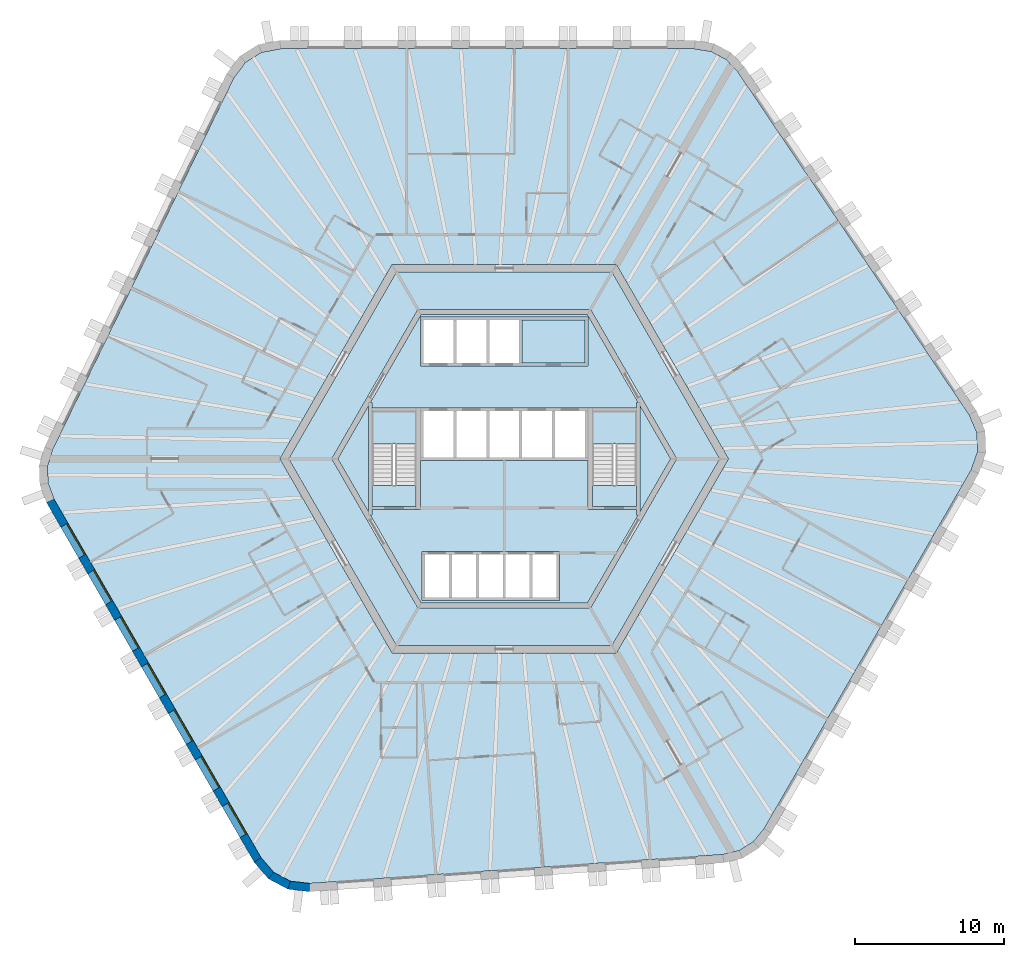
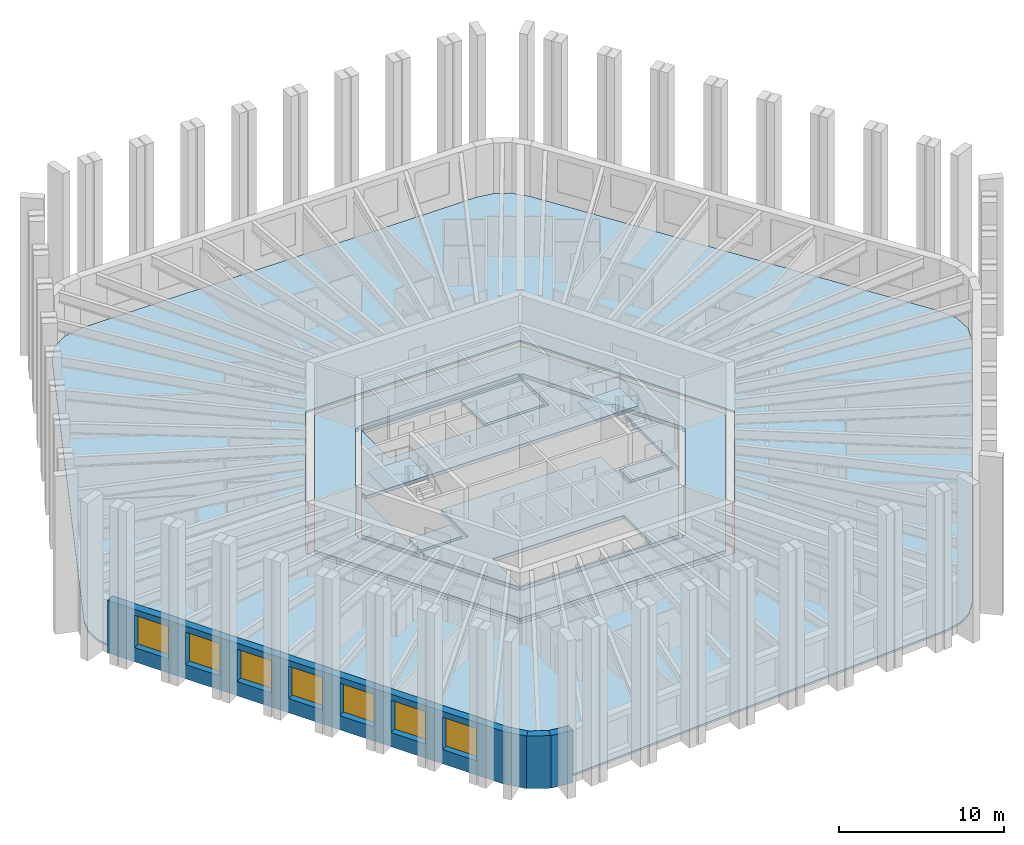
# One storey, part 2 of 11: 11 slabs, 7 windows, 4 walls, 7 openings, 2 elements without a shape of their own.
"""IFC4 building model written with IfcOpenShell, lengths in metres."""

from ifc_helpers import new_model, si_unit, direction, frame, frame_2d, origin, place, context, subcontext, project, spatial, polyline, rectangle, outline, extrude, material, layer, layer_set, type_object, element, fill, aggregate, save


model = new_model("IFC4")

# Units and contexts
model_context = context("Model", 3, precision=1e-05, world=origin(), true_north=direction((0.0, 1.0)))
body_context = subcontext(model_context, "Body", "Model", "MODEL_VIEW")
ifc_project = project(units=[si_unit("LENGTHUNIT", "METRE"), si_unit("AREAUNIT", "SQUARE_METRE"), si_unit("VOLUMEUNIT", "CUBIC_METRE"), si_unit("PLANEANGLEUNIT", "RADIAN"), si_unit("MASSUNIT", "GRAM", prefix="KILO")], contexts=[model_context])

# Site, building, storey
site_placement = place(None, origin())
site = spatial("IfcSite", under=ifc_project, at=site_placement, CompositionType="ELEMENT")
building_placement = place(site_placement, origin())
building = spatial("IfcBuilding", under=site, at=building_placement, Name="Tarnside Tower", CompositionType="ELEMENT")
storey_placement = place(building_placement, frame((0.0, 0.0, 183.89990234375)))
storey = spatial("IfcBuildingStorey", under=building, at=storey_placement, Name="L43", CompositionType="ELEMENT", Elevation=183.89990234375)

# Slabs
ifc_material_1 = material(Name="Concrete C35/45", Category="concrete")
ifc_layer_1 = layer(ifc_material_1, 0.14990234375)
ifc_layer_set_1 = layer_set([ifc_layer_1], Name="Composite floor slab 150")
slab_type_1 = type_object("IfcSlabType", Name="Composite floor slab 150", PredefinedType="FLOOR", material=ifc_layer_set_1)
slab_1_placement = place(storey_placement, frame((0.0, 0.0, -0.14990234375)))
element("IfcSlab", 1, at=slab_1_placement, inside=storey, type_object=slab_type_1, Name="Floor slab L43", PredefinedType="FLOOR", context=body_context, shape_type="SweptSolid", body=[
    extrude(outline(polyline([(13.864013671875, 27.264892578125), (14.85107421875, 26.740234375), (15.6337890625, 25.91064453125), (31.12890625, 2.938232421875), (31.644287109375, 1.7431640625), (31.68896484375, 0.468505859375), (31.258056640625, -0.759521484375), (17.403076171875, -24.7568359375), (16.68017578125, -25.63916015625), (15.732177734375, -26.2314453125), (14.622314453125, -26.494384765625), (-13.02001953125, -28.427490234375), (-14.3125, -28.2763671875), (-15.438720703125, -27.677490234375), (-16.286865234375, -26.6904296875), (-30.1416015625, -2.693115234375), (-30.544189453125, -1.6259765625), (-30.583251953125, -0.5087890625), (-30.256103515625, 0.583984375), (-18.10888671875, 25.4892578125), (-17.331787109375, 26.533203125), (-16.250244140625, 27.208984375), (-14.97119140625, 27.449951171875), (12.738525390625, 27.449951171875), (13.864013671875, 27.264892578125)]), holes=[polyline([(-15.010986328125, 0.0), (-7.505615234375, -13.0), (7.505615234375, -13.0), (15.010986328125, 0.0), (7.505615234375, 13.0), (-7.505615234375, 13.0), (-15.010986328125, 0.0)])]), origin(), (0.0, 0.0, 1.0), 0.14990234375),
])
ifc_material_2 = material(Name="Concrete C40/50", Category="concrete")
ifc_layer_2 = layer(ifc_material_2, 0.25)
ifc_layer_set_2 = layer_set([ifc_layer_2], Name="Core slab C40/50")
slab_type_2 = type_object("IfcSlabType", Name="Core slab C40/50", PredefinedType="FLOOR", material=ifc_layer_set_2)
slab_2_placement = place(storey_placement, frame((0.0, 0.0, -0.25)))
element("IfcSlab", 2, at=slab_2_placement, inside=storey, type_object=slab_type_2, Name="L43 core floor slab 1", PredefinedType="FLOOR", context=body_context, shape_type="SweptSolid", body=[
    extrude(outline(polyline([(-7.216796875, 12.5), (7.216796875, 12.5), (14.433837890625, 0.0), (7.216796875, -12.5), (-7.216796875, -12.5), (-14.433837890625, 0.0), (-7.216796875, 12.5)]), holes=[polyline([(5.823974609375, -9.91259765625), (11.49658203125, -0.08740234375), (11.344970703125, 0.0), (11.49658203125, 0.08740234375), (5.823974609375, 9.91259765625), (5.672607421875, 9.824951171875), (5.672607421875, 10.0), (-5.672607421875, 10.0), (-5.672607421875, 9.824951171875), (-5.823974609375, 9.91259765625), (-11.49658203125, 0.08740234375), (-11.344970703125, 0.0), (-11.49658203125, -0.08740234375), (-5.823974609375, -9.91259765625), (-5.672607421875, -9.824951171875), (-5.672607421875, -10.0), (5.672607421875, -10.0), (5.672607421875, -9.824951171875), (5.823974609375, -9.91259765625)])]), origin(), (0.0, 0.0, 1.0), 0.25),
])
slab_3_placement = place(storey_placement, frame((0.0, 0.0, -0.25)))
element("IfcSlab", 3, at=slab_3_placement, inside=storey, type_object=slab_type_2, Name="L43 core floor slab 2", PredefinedType="FLOOR", context=body_context, shape_type="SweptSolid", body=[
    extrude(outline(polyline([(-8.97509765625, 3.7548828125), (-5.5712890625, 9.64990234375), (5.5712890625, 9.64990234375), (8.97509765625, 3.7548828125), (8.85009765625, 3.7548828125), (8.85009765625, 3.39990234375), (5.89990234375, 3.39990234375), (5.60009765625, 3.39990234375), (5.60009765625, 3.39990234375), (-5.60009765625, 3.39990234375), (-5.89990234375, 3.39990234375), (-8.85009765625, 3.39990234375), (-8.85009765625, 3.7548828125), (-8.97509765625, 3.7548828125)]), holes=[polyline([(-5.60009765625, 6.199951171875), (5.60009765625, 6.199951171875), (5.60009765625, 6.39990234375), (5.60009765625, 9.300048828125), (5.60009765625, 9.5), (-5.60009765625, 9.5), (-5.60009765625, 9.300048828125), (-5.60009765625, 6.39990234375), (-5.60009765625, 6.199951171875)])]), origin(), (0.0, 0.0, 1.0), 0.25),
])
slab_4_placement = place(storey_placement, frame((0.0, 0.0, -0.25)))
element("IfcSlab", 4, at=slab_4_placement, inside=storey, type_object=slab_type_2, Name="L43 core floor slab 3", PredefinedType="FLOOR", context=body_context, shape_type="SweptSolid", body=[
    extrude(outline(polyline([(5.60009765625, -3.39990234375), (5.89990234375, -3.39990234375), (8.85009765625, -3.39990234375), (8.85009765625, -3.7548828125), (8.97509765625, -3.7548828125), (5.5712890625, -9.64990234375), (-5.5712890625, -9.64990234375), (-8.97509765625, -3.7548828125), (-8.85009765625, -3.7548828125), (-8.85009765625, -3.39990234375), (-5.89990234375, -3.39990234375), (-5.60009765625, -3.39990234375), (-5.60009765625, -0.10009765625), (5.60009765625, -0.10009765625), (5.60009765625, -3.39990234375)]), holes=[polyline([(-5.5, -9.300048828125), (-5.5, -9.5), (3.699951171875, -9.5), (3.699951171875, -9.300048828125), (3.699951171875, -6.39990234375), (3.699951171875, -6.199951171875), (-5.5, -6.199951171875), (-5.5, -6.39990234375), (-5.5, -9.300048828125)])]), origin(), (0.0, 0.0, 1.0), 0.25),
])
slab_5_placement = place(storey_placement, frame((0.0, 0.0, -0.25)))
element("IfcSlab", 5, at=slab_5_placement, inside=storey, type_object=slab_type_2, Name="L43 core floor slab 4", PredefinedType="FLOOR", context=body_context, shape_type="SweptSolid", body=[
    extrude(outline(polyline([(-11.142822265625, 0.0), (-9.10009765625, 3.538330078125), (-9.10009765625, -3.538330078125), (-11.142822265625, 0.0)])), origin(), (0.0, 0.0, 1.0), 0.25),
])
slab_6_placement = place(storey_placement, frame((0.0, 0.0, -0.25)))
element("IfcSlab", 6, at=slab_6_placement, inside=storey, type_object=slab_type_2, Name="L43 core floor slab 5", PredefinedType="FLOOR", context=body_context, shape_type="SweptSolid", body=[
    extrude(outline(polyline([(-8.85009765625, -1.800048828125), (-5.89990234375, -1.800048828125), (-5.89990234375, -3.199951171875), (-8.85009765625, -3.199951171875), (-8.85009765625, -1.800048828125)])), origin(), (0.0, 0.0, 1.0), 0.25),
])
slab_7_placement = place(storey_placement, frame((0.0, 0.0, -0.25)))
element("IfcSlab", 7, at=slab_7_placement, inside=storey, type_object=slab_type_2, Name="L43 core floor slab 6", PredefinedType="FLOOR", context=body_context, shape_type="SweptSolid", body=[
    extrude(outline(polyline([(5.89990234375, -3.199951171875), (5.89990234375, -1.800048828125), (8.85009765625, -1.800048828125), (8.85009765625, -3.199951171875), (5.89990234375, -3.199951171875)])), origin(), (0.0, 0.0, 1.0), 0.25),
])
slab_8_placement = place(storey_placement, frame((0.0, 0.0, -0.25)))
element("IfcSlab", 8, at=slab_8_placement, inside=storey, type_object=slab_type_2, Name="L43 core floor slab 7", PredefinedType="FLOOR", context=body_context, shape_type="SweptSolid", body=[
    extrude(outline(polyline([(9.10009765625, -3.538330078125), (9.10009765625, 3.538330078125), (11.142822265625, 0.0), (9.10009765625, -3.538330078125)])), origin(), (0.0, 0.0, 1.0), 0.25),
])
slab_9_placement = place(storey_placement, frame((0.0, 0.0, -0.25)))
element("IfcSlab", 9, at=slab_9_placement, inside=storey, type_object=slab_type_2, Name="L43 core floor slab 8", PredefinedType="FLOOR", context=body_context, shape_type="SweptSolid", body=[
    extrude(outline(polyline([(5.39990234375, 9.300048828125), (5.39990234375, 6.39990234375), (1.199951171875, 6.39990234375), (1.199951171875, 9.300048828125), (5.39990234375, 9.300048828125)])), origin(), (0.0, 0.0, 1.0), 0.25),
])

# Stair, slab
stair_type = type_object("IfcStairType", Name="Exit stair 1400 clear", PredefinedType="HALF_TURN_STAIR", material=ifc_material_2)
stair_1_placement = place(storey_placement, origin())
stair_1 = element("IfcStair", 10, at=stair_1_placement, inside=storey, type_object=stair_type, Name="L43 Exit stair 1", PredefinedType="HALF_TURN_STAIR")
ifc_layer_3 = layer(ifc_material_2, 0.199951171875)
ifc_layer_set_3 = layer_set([ifc_layer_3], Name="Stair landing 200 C40/50")
slab_type_3 = type_object("IfcSlabType", Name="Stair landing 200 C40/50", PredefinedType="LANDING", material=ifc_layer_set_3)
slab_10_placement = place(storey_placement, frame((0.0, 0.0, 1.75)))
slab_10 = element("IfcSlab", 11, at=slab_10_placement, type_object=slab_type_3, Name="ST1 landing 1", PredefinedType="LANDING", context=body_context, shape_type="SweptSolid", body=[
    extrude(outline(polyline([(8.85009765625, 1.0), (8.85009765625, 3.199951171875), (5.89990234375, 3.199951171875), (5.89990234375, 1.0), (8.85009765625, 1.0)])), origin(), (0.0, 0.0, 1.0), 0.2001953125),
])
aggregate(stair_1, [slab_10])

stair_2_placement = place(storey_placement, origin())
stair_2 = element("IfcStair", 12, at=stair_2_placement, inside=storey, type_object=stair_type, Name="L43 Exit stair 2", PredefinedType="HALF_TURN_STAIR")
slab_11_placement = place(storey_placement, frame((0.0, 0.0, 1.75)))
slab_11 = element("IfcSlab", 13, at=slab_11_placement, type_object=slab_type_3, Name="ST2 landing 1", PredefinedType="LANDING", context=body_context, shape_type="SweptSolid", body=[
    extrude(outline(polyline([(-5.89990234375, 1.0), (-5.89990234375, 3.199951171875), (-8.85009765625, 3.199951171875), (-8.85009765625, 1.0), (-5.89990234375, 1.0)])), origin(), (0.0, 0.0, 1.0), 0.2001953125),
])
aggregate(stair_2, [slab_11])

# Wall, openings, windows
ifc_material_3 = material(Name="Facing brick", Category="masonry")
ifc_layer_4 = layer(ifc_material_3, 0.10205078125)
ifc_material_4 = material(Name="Concrete C60/75 precast", Category="concrete")
ifc_layer_5 = layer(ifc_material_4, 0.347900390625)
ifc_material_5 = material(Name="Mineral wool insulation")
ifc_layer_6 = layer(ifc_material_5, 0.10009765625)
ifc_layer_set_4 = layer_set([ifc_layer_4, ifc_layer_5, ifc_layer_6], Name="Tube wall 550 brick faced")
wall_type = type_object("IfcWallType", Name="Tube wall 550 brick faced", PredefinedType="SOLIDWALL", material=ifc_layer_set_4)
wall_1_placement = place(storey_placement, frame((-30.39111328125, -2.81103515625, -0.14990234375), z_axis=(0.0, 0.0, 1.0), x_axis=(0.499998569178, -0.866026229868, 0.0)))
wall_1 = element("IfcWall", 14, at=wall_1_placement, inside=storey, type_object=wall_type, Name="Tube wall L43 F3 flush 08", PredefinedType="SOLIDWALL", context=body_context, shape_type="SweptSolid", body=[
    extrude(outline(polyline([(-0.0224609375, -0.27490234375), (27.783447265625, -0.27490234375), (27.732177734375, 0.27490234375), (0.0224609375, 0.27490234375), (-0.0224609375, -0.27490234375)])), origin(), (0.0, 0.0, 1.0), 3.89990234375),
])
opening_1_placement = place(wall_1_placement, frame((1.87890625, 0.0, 1.050048828125)))
opening_1 = element("IfcOpeningElement", 15, at=opening_1_placement, cuts=wall_1, Name="Opening WH", PredefinedType="OPENING", context=body_context, shape_type="SweptSolid", body=[
    extrude(rectangle(XDim=2.39990234375, YDim=2.39990234375, at=frame_2d((1.199951171875, 1.199951171875))), frame((0.0, 0.28515625, 0.0), z_axis=(0.0, -1.0, 0.0), x_axis=(1.0, 0.0, 0.0)), (0.0, 0.0, 1.0), 0.570068359375),
])
opening_2_placement = place(wall_1_placement, frame((5.47900390625, 0.0, 1.050048828125)))
opening_2 = element("IfcOpeningElement", 16, at=opening_2_placement, cuts=wall_1, Name="Opening WH", PredefinedType="OPENING", context=body_context, shape_type="SweptSolid", body=[
    extrude(rectangle(XDim=2.39990234375, YDim=2.39990234375, at=frame_2d((1.199951171875, 1.199951171875))), frame((0.0, 0.28515625, 0.0), z_axis=(0.0, -1.0, 0.0), x_axis=(1.0, 0.0, 0.0)), (0.0, 0.0, 1.0), 0.570068359375),
])
opening_3_placement = place(wall_1_placement, frame((9.078857421875, 0.0, 1.050048828125)))
opening_3 = element("IfcOpeningElement", 17, at=opening_3_placement, cuts=wall_1, Name="Opening WH", PredefinedType="OPENING", context=body_context, shape_type="SweptSolid", body=[
    extrude(rectangle(XDim=2.39990234375, YDim=2.39990234375, at=frame_2d((1.199951171875, 1.199951171875))), frame((0.0, 0.28515625, 0.0), z_axis=(0.0, -1.0, 0.0), x_axis=(1.0, 0.0, 0.0)), (0.0, 0.0, 1.0), 0.570068359375),
])
opening_4_placement = place(wall_1_placement, frame((12.678955078125, 0.0, 1.050048828125)))
opening_4 = element("IfcOpeningElement", 18, at=opening_4_placement, cuts=wall_1, Name="Opening WH", PredefinedType="OPENING", context=body_context, shape_type="SweptSolid", body=[
    extrude(rectangle(XDim=2.39990234375, YDim=2.39990234375, at=frame_2d((1.199951171875, 1.199951171875))), frame((0.0, 0.28515625, 0.0), z_axis=(0.0, -1.0, 0.0), x_axis=(1.0, 0.0, 0.0)), (0.0, 0.0, 1.0), 0.570068359375),
])
opening_5_placement = place(wall_1_placement, frame((16.27880859375, 0.0, 1.050048828125)))
opening_5 = element("IfcOpeningElement", 19, at=opening_5_placement, cuts=wall_1, Name="Opening WH", PredefinedType="OPENING", context=body_context, shape_type="SweptSolid", body=[
    extrude(rectangle(XDim=2.39990234375, YDim=2.39990234375, at=frame_2d((1.199951171875, 1.199951171875))), frame((0.0, 0.28515625, 0.0), z_axis=(0.0, -1.0, 0.0), x_axis=(1.0, 0.0, 0.0)), (0.0, 0.0, 1.0), 0.570068359375),
])
opening_6_placement = place(wall_1_placement, frame((19.87890625, 0.0, 1.050048828125)))
opening_6 = element("IfcOpeningElement", 20, at=opening_6_placement, cuts=wall_1, Name="Opening WH", PredefinedType="OPENING", context=body_context, shape_type="SweptSolid", body=[
    extrude(rectangle(XDim=2.39990234375, YDim=2.39990234375, at=frame_2d((1.199951171875, 1.199951171875))), frame((0.0, 0.28515625, 0.0), z_axis=(0.0, -1.0, 0.0), x_axis=(1.0, 0.0, 0.0)), (0.0, 0.0, 1.0), 0.570068359375),
])
opening_7_placement = place(wall_1_placement, frame((23.47900390625, 0.0, 1.050048828125)))
opening_7 = element("IfcOpeningElement", 21, at=opening_7_placement, cuts=wall_1, Name="Opening WH", PredefinedType="OPENING", context=body_context, shape_type="SweptSolid", body=[
    extrude(rectangle(XDim=2.39990234375, YDim=2.39990234375, at=frame_2d((1.199951171875, 1.199951171875))), frame((0.0, 0.28515625, 0.0), z_axis=(0.0, -1.0, 0.0), x_axis=(1.0, 0.0, 0.0)), (0.0, 0.0, 1.0), 0.570068359375),
])
ifc_material_6 = material(Name="Aluminium-framed double glazing", Category="aluminium")
window_type = type_object("IfcWindowType", Name="Hotel window 2400 x 2400", PartitioningType="DOUBLE_PANEL_VERTICAL", PredefinedType="WINDOW", material=ifc_material_6)
window_1_placement = place(opening_1_placement, frame((0.0, 0.205078125, 0.0)))
window_1 = element("IfcWindow", 22, at=window_1_placement, inside=storey, type_object=window_type, Name="E.WN.L43.F3.00", OverallHeight=2.39990234375, OverallWidth=2.39990234375, PartitioningType="DOUBLE_PANEL_VERTICAL", PredefinedType="WINDOW", context=body_context, shape_type="SweptSolid", body=[
    extrude(rectangle(XDim=2.39990234375, YDim=2.39990234375, at=frame_2d((1.199951171875, 1.199951171875))), frame((0.0, 0.030029296875, 0.0), z_axis=(0.0, -1.0, 0.0), x_axis=(1.0, 0.0, 0.0)), (0.0, 0.0, 1.0), 0.06005859375),
])
fill(opening_1, window_1)
window_2_placement = place(opening_2_placement, frame((0.0, 0.205078125, 0.0)))
window_2 = element("IfcWindow", 23, at=window_2_placement, inside=storey, type_object=window_type, Name="E.WN.L43.F3.01", OverallHeight=2.39990234375, OverallWidth=2.39990234375, PartitioningType="DOUBLE_PANEL_VERTICAL", PredefinedType="WINDOW", context=body_context, shape_type="SweptSolid", body=[
    extrude(rectangle(XDim=2.39990234375, YDim=2.39990234375, at=frame_2d((1.199951171875, 1.199951171875))), frame((0.0, 0.030029296875, 0.0), z_axis=(0.0, -1.0, 0.0), x_axis=(1.0, 0.0, 0.0)), (0.0, 0.0, 1.0), 0.06005859375),
])
fill(opening_2, window_2)
window_3_placement = place(opening_3_placement, frame((0.0, 0.205078125, 0.0)))
window_3 = element("IfcWindow", 24, at=window_3_placement, inside=storey, type_object=window_type, Name="E.WN.L43.F3.02", OverallHeight=2.39990234375, OverallWidth=2.39990234375, PartitioningType="DOUBLE_PANEL_VERTICAL", PredefinedType="WINDOW", context=body_context, shape_type="SweptSolid", body=[
    extrude(rectangle(XDim=2.39990234375, YDim=2.39990234375, at=frame_2d((1.199951171875, 1.199951171875))), frame((0.0, 0.030029296875, 0.0), z_axis=(0.0, -1.0, 0.0), x_axis=(1.0, 0.0, 0.0)), (0.0, 0.0, 1.0), 0.06005859375),
])
fill(opening_3, window_3)
window_4_placement = place(opening_4_placement, frame((0.0, 0.205078125, 0.0)))
window_4 = element("IfcWindow", 25, at=window_4_placement, inside=storey, type_object=window_type, Name="E.WN.L43.F3.03", OverallHeight=2.39990234375, OverallWidth=2.39990234375, PartitioningType="DOUBLE_PANEL_VERTICAL", PredefinedType="WINDOW", context=body_context, shape_type="SweptSolid", body=[
    extrude(rectangle(XDim=2.39990234375, YDim=2.39990234375, at=frame_2d((1.199951171875, 1.199951171875))), frame((0.0, 0.030029296875, 0.0), z_axis=(0.0, -1.0, 0.0), x_axis=(1.0, 0.0, 0.0)), (0.0, 0.0, 1.0), 0.06005859375),
])
fill(opening_4, window_4)
window_5_placement = place(opening_5_placement, frame((0.0, 0.205078125, 0.0)))
window_5 = element("IfcWindow", 26, at=window_5_placement, inside=storey, type_object=window_type, Name="E.WN.L43.F3.04", OverallHeight=2.39990234375, OverallWidth=2.39990234375, PartitioningType="DOUBLE_PANEL_VERTICAL", PredefinedType="WINDOW", context=body_context, shape_type="SweptSolid", body=[
    extrude(rectangle(XDim=2.39990234375, YDim=2.39990234375, at=frame_2d((1.199951171875, 1.199951171875))), frame((0.0, 0.030029296875, 0.0), z_axis=(0.0, -1.0, 0.0), x_axis=(1.0, 0.0, 0.0)), (0.0, 0.0, 1.0), 0.06005859375),
])
fill(opening_5, window_5)
window_6_placement = place(opening_6_placement, frame((0.0, 0.205078125, 0.0)))
window_6 = element("IfcWindow", 27, at=window_6_placement, inside=storey, type_object=window_type, Name="E.WN.L43.F3.05", OverallHeight=2.39990234375, OverallWidth=2.39990234375, PartitioningType="DOUBLE_PANEL_VERTICAL", PredefinedType="WINDOW", context=body_context, shape_type="SweptSolid", body=[
    extrude(rectangle(XDim=2.39990234375, YDim=2.39990234375, at=frame_2d((1.199951171875, 1.199951171875))), frame((0.0, 0.030029296875, 0.0), z_axis=(0.0, -1.0, 0.0), x_axis=(1.0, 0.0, 0.0)), (0.0, 0.0, 1.0), 0.06005859375),
])
fill(opening_6, window_6)
window_7_placement = place(opening_7_placement, frame((0.0, 0.205078125, 0.0)))
window_7 = element("IfcWindow", 28, at=window_7_placement, inside=storey, type_object=window_type, Name="E.WN.L43.F3.06", OverallHeight=2.39990234375, OverallWidth=2.39990234375, PartitioningType="DOUBLE_PANEL_VERTICAL", PredefinedType="WINDOW", context=body_context, shape_type="SweptSolid", body=[
    extrude(rectangle(XDim=2.39990234375, YDim=2.39990234375, at=frame_2d((1.199951171875, 1.199951171875))), frame((0.0, 0.030029296875, 0.0), z_axis=(0.0, -1.0, 0.0), x_axis=(1.0, 0.0, 0.0)), (0.0, 0.0, 1.0), 0.06005859375),
])
fill(opening_7, window_7)

# Walls
wall_2_placement = place(storey_placement, frame((-16.51220703125, -26.85009765625, -0.14990234375), z_axis=(0.0, 0.0, 1.0), x_axis=(0.651621950847, -0.758543890078, 0.0)))
element("IfcWall", 29, at=wall_2_placement, inside=storey, type_object=wall_type, Name="Tube wall L43 F3 chord 09", PredefinedType="SOLIDWALL", context=body_context, shape_type="SweptSolid", body=[
    extrude(outline(polyline([(-0.025634765625, -0.27490234375), (1.430908203125, -0.27490234375), (1.327392578125, 0.27490234375), (0.025634765625, 0.27490234375), (-0.025634765625, -0.27490234375)])), origin(), (0.0, 0.0, 1.0), 3.89990234375),
])
wall_3_placement = place(storey_placement, frame((-15.613525390625, -27.896240234375, -0.14990234375), z_axis=(0.0, 0.0, 1.0), x_axis=(0.882994189209, -0.469383917304, 0.0)))
element("IfcWall", 30, at=wall_3_placement, inside=storey, type_object=wall_type, Name="Tube wall L43 F3 chord 10", PredefinedType="SOLIDWALL", context=body_context, shape_type="SweptSolid", body=[
    extrude(outline(polyline([(-0.0517578125, -0.27490234375), (1.4306640625, -0.27490234375), (1.3271484375, 0.27490234375), (0.0517578125, 0.27490234375), (-0.0517578125, -0.27490234375)])), origin(), (0.0, 0.0, 1.0), 3.89990234375),
])
wall_4_placement = place(storey_placement, frame((-14.39599609375, -28.54345703125, -0.14990234375), z_axis=(0.0, 0.0, 1.0), x_axis=(0.993232537394, -0.11614269956, 0.0)))
element("IfcWall", 31, at=wall_4_placement, inside=storey, type_object=wall_type, Name="Tube wall L43 F3 chord 11", PredefinedType="SOLIDWALL", context=body_context, shape_type="SweptSolid", body=[
    extrude(outline(polyline([(-0.0517578125, -0.27490234375), (1.404541015625, -0.27490234375), (1.353271484375, 0.27490234375), (0.0517578125, 0.27490234375), (-0.0517578125, -0.27490234375)])), origin(), (0.0, 0.0, 1.0), 3.89990234375),
])

save(model, "model.ifc")
